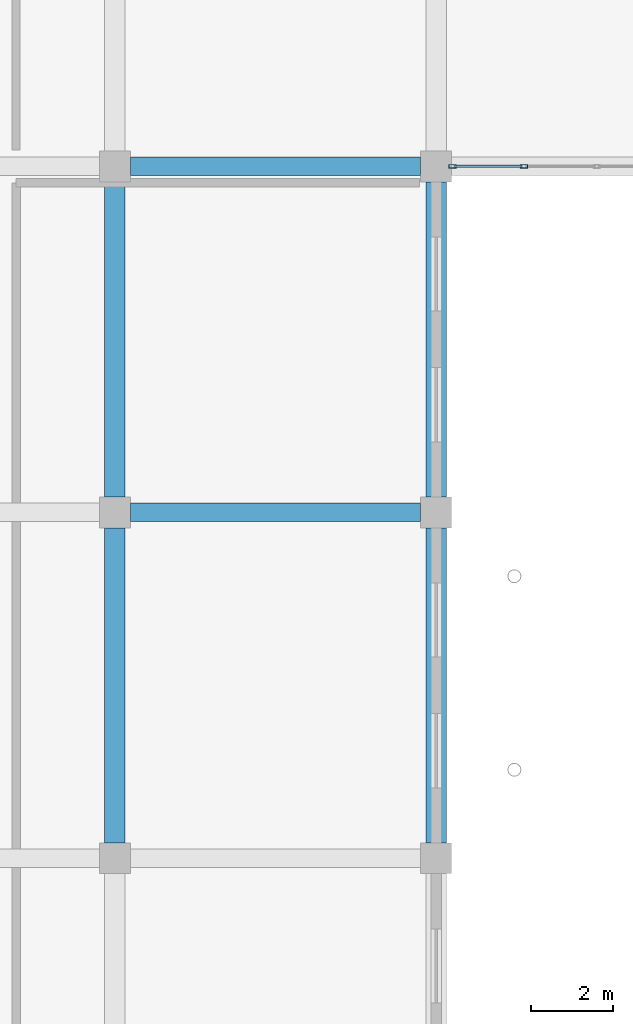
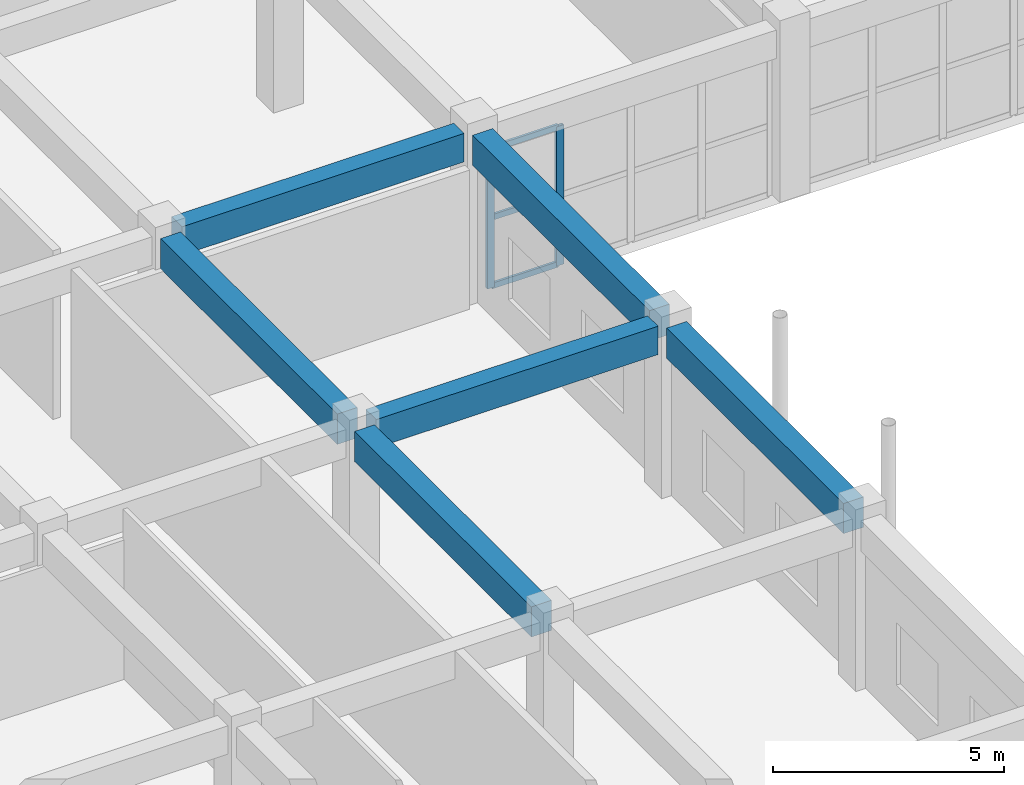
# One storey, part 76 of 175: 6 beams, 5 members, 1 element without a shape of its own.
"""IFC4 building model written with IfcOpenShell, lengths in metres."""

from ifc_helpers import new_model, si_unit, direction, frame, origin, origin_2d, place, context, subcontext, project, spatial, rectangle, hollow_rectangle, extrude, material, layer, layer_set, material_profile, profile_set, type_object, element, aggregate, save


model = new_model("IFC4")

# Units and contexts
model_context = context("Model", 3, precision=1e-05, world=origin(), true_north=direction((0.0, 1.0)))
body_context = subcontext(model_context, "Body", "Model", "MODEL_VIEW")
ifc_project = project(units=[si_unit("LENGTHUNIT", "METRE"), si_unit("AREAUNIT", "SQUARE_METRE"), si_unit("VOLUMEUNIT", "CUBIC_METRE"), si_unit("PLANEANGLEUNIT", "RADIAN"), si_unit("MASSUNIT", "GRAM", prefix="KILO")], contexts=[model_context])

# Site, building, storey
site_placement = place(None, origin())
site = spatial("IfcSite", under=ifc_project, at=site_placement, CompositionType="ELEMENT")
building_placement = place(site_placement, origin())
building = spatial("IfcBuilding", under=site, at=building_placement, Name="Zizhar Promenade General Hospital", CompositionType="ELEMENT")
storey_placement = place(building_placement, frame((0.0, 0.0, 4.800048828125)))
storey = spatial("IfcBuildingStorey", under=building, at=storey_placement, Name="L01", CompositionType="ELEMENT", Elevation=4.800048828125)

# Beams
ifc_material_1 = material(Name="Concrete C35/45", Category="concrete")
ifc_material_profile_1 = material_profile(ifc_material_1, rectangle(XDim=0.449951171875, YDim=0.75, at=origin_2d()))
ifc_profile_set_1 = profile_set([ifc_material_profile_1], Name="Concrete C35/45")
beam_type_1 = type_object("IfcBeamType", Name="BM-RC-450x750", PredefinedType="BEAM", material=ifc_profile_set_1)
for number, where, z_axis, x_axis, name in (
    (1, (62.77490234375, 84.0, 4.094970703125), (1.0, 0.0, 0.0), (0.0, 1.0, 0.0), "Grid Beam X L01 (8-10)"),
    (2, (62.77490234375, 92.39990234375, 4.094970703125), (1.0, 0.0, 0.0), (0.0, 1.0, 0.0), "Grid Beam X L01 (8-11)"),
):
    element("IfcBeam", number, at=place(storey_placement, frame(where, z_axis=z_axis, x_axis=x_axis)), inside=storey, type_object=beam_type_1, Name=name, PredefinedType="BEAM", context=body_context, shape_type="SweptSolid", body=[
        extrude(rectangle(XDim=0.449951171875, YDim=0.75, at=origin_2d()), origin(), (0.0, 0.0, 1.0), 7.050048828125),
    ])
ifc_material_2 = material(Name="Concrete C35/45", Category="concrete")
ifc_material_profile_2 = material_profile(ifc_material_2, rectangle(XDim=0.5, YDim=0.800048828125, at=origin_2d()))
ifc_profile_set_2 = profile_set([ifc_material_profile_2], Name="Concrete C35/45")
beam_type_2 = type_object("IfcBeamType", Name="BM-RC-500x800", PredefinedType="BEAM", material=ifc_profile_set_2)
for number, where, z_axis, x_axis, name in (
    (3, (62.39990234375, 75.97509765625, 4.070068359375), (0.0, 1.0, 0.0), (-1.0, 0.0, 0.0), "Grid Beam Y L01 (8-9)"),
    (4, (62.39990234375, 84.375, 4.070068359375), (0.0, 1.0, 0.0), (-1.0, 0.0, 0.0), "Grid Beam Y L01 (8-10)"),
    (5, (70.199951171875, 75.97509765625, 4.070068359375), (0.0, 1.0, 0.0), (-1.0, 0.0, 0.0), "Grid Beam Y L01 (9-9)"),
    (6, (70.199951171875, 84.375, 4.070068359375), (0.0, 1.0, 0.0), (-1.0, 0.0, 0.0), "Grid Beam Y L01 (9-10)"),
):
    element("IfcBeam", number, at=place(storey_placement, frame(where, z_axis=z_axis, x_axis=x_axis)), inside=storey, type_object=beam_type_2, Name=name, PredefinedType="BEAM", context=body_context, shape_type="SweptSolid", body=[
        extrude(rectangle(XDim=0.5, YDim=0.800048828125, at=origin_2d()), origin(), (0.0, 0.0, 1.0), 7.64990234375),
    ])

# Curtain wall, members
ifc_material_3 = material(Name="Anodised aluminium 6063-T6 and low-E glass", Category="aluminium")
ifc_layer = layer(ifc_material_3, 0.159912109375)
ifc_layer_set = layer_set([ifc_layer], Name="Anodised aluminium 6063-T6 and low-E glass")
curtain_wall_type = type_object("IfcCurtainWallType", Name="CW-DT-MOD1", PredefinedType="NOTDEFINED", material=ifc_layer_set)
curtain_wall_placement = place(storey_placement, origin())
curtain_wall = element("IfcCurtainWall", 7, at=curtain_wall_placement, inside=storey, type_object=curtain_wall_type, Name="Garden Court North Surgical Glazing L01-9", PredefinedType="NOTDEFINED")
ifc_material_4 = material(Name="Anodised aluminium 6063-T6", Category="aluminium")
ifc_material_profile_3 = material_profile(ifc_material_4, hollow_rectangle(XDim=0.080078125, YDim=0.179931640625, WallThickness=0.0048828125, at=origin_2d()))
ifc_profile_set_3 = profile_set([ifc_material_profile_3], Name="Anodised aluminium 6063-T6")
member_type_1 = type_object("IfcMemberType", Name="CWM-ALU-180x80", PredefinedType="MULLION", material=ifc_profile_set_3)
member_1_placement = place(storey_placement, frame((72.330078125, 92.39990234375, 0.0), z_axis=(0.0, 0.0, 1.0), x_axis=(0.0, -1.0, 0.0)))
member_1 = element("IfcMember", 8, at=member_1_placement, type_object=member_type_1, Name="CW-07 mullion 4", PredefinedType="MULLION", context=body_context, shape_type="SweptSolid", body=[
    extrude(hollow_rectangle(XDim=0.080078125, YDim=0.179931640625, WallThickness=0.0048828125, at=origin_2d()), origin(), (0.0, 0.0, 1.0), 3.679931640625),
])
member_2_placement = place(storey_placement, frame((70.60009765625, 92.39990234375, 0.0), z_axis=(0.0, 0.0, 1.0), x_axis=(0.0, -1.0, 0.0)))
member_2 = element("IfcMember", 9, at=member_2_placement, type_object=member_type_1, Name="CW-07 mullion 5", PredefinedType="MULLION", context=body_context, shape_type="SweptSolid", body=[
    extrude(hollow_rectangle(XDim=0.080078125, YDim=0.179931640625, WallThickness=0.0048828125, at=origin_2d()), origin(), (0.0, 0.0, 1.0), 3.679931640625),
])
ifc_material_5 = material(Name="Anodised aluminium 6063-T6", Category="aluminium")
ifc_material_profile_4 = material_profile(ifc_material_5, hollow_rectangle(XDim=0.06005859375, YDim=0.14990234375, WallThickness=0.00390625, at=origin_2d()))
ifc_profile_set_4 = profile_set([ifc_material_profile_4], Name="Anodised aluminium 6063-T6")
member_type_2 = type_object("IfcMemberType", Name="CWT-ALU-150x60", PredefinedType="USERDEFINED", material=ifc_profile_set_4)
member_3_placement = place(storey_placement, frame((72.2900390625, 92.39990234375, 0.030029296875), z_axis=(-1.0, 0.0, 0.0), x_axis=(0.0, -1.0, 0.0)))
member_3 = element("IfcMember", 10, at=member_3_placement, type_object=member_type_2, Name="CW-07 transom 4.1", ObjectType="TRANSOM", PredefinedType="USERDEFINED", context=body_context, shape_type="SweptSolid", body=[
    extrude(hollow_rectangle(XDim=0.06005859375, YDim=0.14990234375, WallThickness=0.00390625, at=origin_2d()), origin(), (0.0, 0.0, 1.0), 1.650146484375),
])
member_4_placement = place(storey_placement, frame((72.2900390625, 92.39990234375, 1.83984375), z_axis=(-1.0, 0.0, 0.0), x_axis=(0.0, -1.0, 0.0)))
member_4 = element("IfcMember", 11, at=member_4_placement, type_object=member_type_2, Name="CW-07 transom 4.2", ObjectType="TRANSOM", PredefinedType="USERDEFINED", context=body_context, shape_type="SweptSolid", body=[
    extrude(hollow_rectangle(XDim=0.06005859375, YDim=0.14990234375, WallThickness=0.00390625, at=origin_2d()), origin(), (0.0, 0.0, 1.0), 1.650146484375),
])
member_5_placement = place(storey_placement, frame((72.2900390625, 92.39990234375, 3.64990234375), z_axis=(-1.0, 0.0, 0.0), x_axis=(0.0, -1.0, 0.0)))
member_5 = element("IfcMember", 12, at=member_5_placement, type_object=member_type_2, Name="CW-07 transom 4.3", ObjectType="TRANSOM", PredefinedType="USERDEFINED", context=body_context, shape_type="SweptSolid", body=[
    extrude(hollow_rectangle(XDim=0.06005859375, YDim=0.14990234375, WallThickness=0.00390625, at=origin_2d()), origin(), (0.0, 0.0, 1.0), 1.650146484375),
])
aggregate(curtain_wall, [member_1, member_2, member_3, member_4, member_5])

save(model, "model.ifc")
